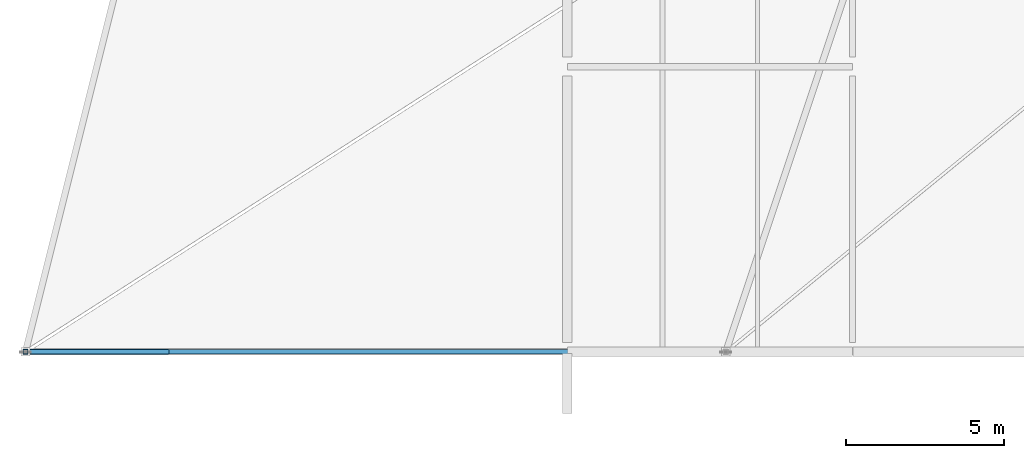
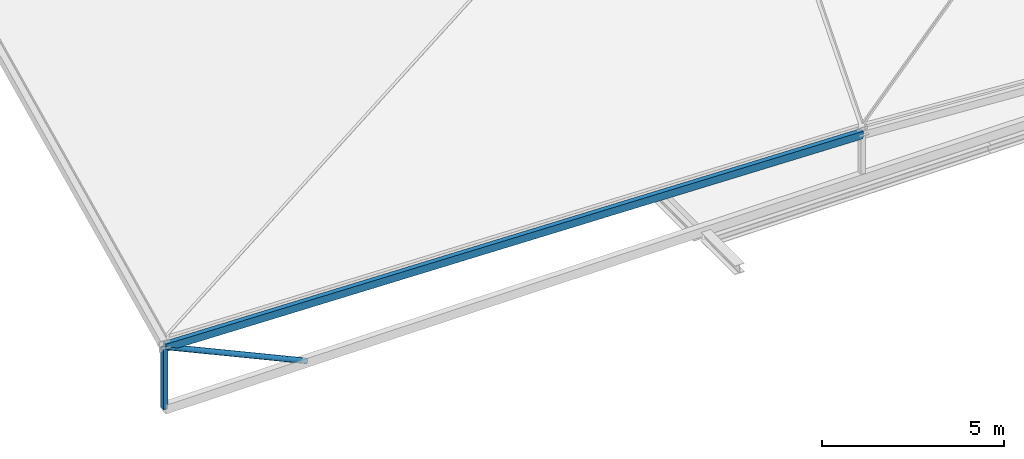
# One storey, part 1 of 18: 3 members.
"""IFC4 building model written with IfcOpenShell, lengths in metres."""

from ifc_helpers import new_model, si_unit, direction, frame, origin, origin_2d, place, context, subcontext, project, spatial, hollow_rectangle, hollow_circle, extrude, material, material_profile, profile_set, type_object, element, save


model = new_model("IFC4")

# Units and contexts
model_context = context("Model", 3, precision=1e-05, world=origin(), true_north=direction((0.0, 1.0)))
body_context = subcontext(model_context, "Body", "Model", "MODEL_VIEW")
ifc_project = project(units=[si_unit("LENGTHUNIT", "METRE"), si_unit("AREAUNIT", "SQUARE_METRE"), si_unit("VOLUMEUNIT", "CUBIC_METRE"), si_unit("PLANEANGLEUNIT", "RADIAN"), si_unit("MASSUNIT", "GRAM", prefix="KILO")], contexts=[model_context])

# Site, building, storey
site_placement = place(None, origin())
site = spatial("IfcSite", under=ifc_project, at=site_placement, CompositionType="ELEMENT")
building_placement = place(site_placement, origin())
building = spatial("IfcBuilding", under=site, at=building_placement, Name="Deido Ridge Mobility Hub", CompositionType="ELEMENT")
storey_placement = place(building_placement, frame((0.0, 0.0, 29.39990234375)))
storey = spatial("IfcBuildingStorey", under=building, at=storey_placement, Name="RF", CompositionType="ELEMENT", Elevation=29.39990234375)

# Members
ifc_material = material(Name="Steel S355J2H EN 10210-1", Category="steel")
ifc_material_profile_1 = material_profile(ifc_material, hollow_rectangle(XDim=0.14990234375, YDim=0.14990234375, WallThickness=0.008056640625, at=origin_2d()), Name="SHS 150x150x8")
ifc_profile_set_1 = profile_set([ifc_material_profile_1], Name="Steel S355J2H EN 10210-1")
member_type_1 = type_object("IfcMemberType", Name="MEM-PST-SHS150", PredefinedType="POST", material=ifc_profile_set_1)
member_1_placement = place(storey_placement, frame((135.89990234375, 0.0, 0.0), z_axis=(0.0, 0.0, 1.0), x_axis=(1.0, 0.0, 0.0)))
element("IfcMember", 1, at=member_1_placement, inside=storey, type_object=member_type_1, Name="Crystal roof ridge post PS1", PredefinedType="POST", context=body_context, shape_type="SweptSolid", body=[
    extrude(hollow_rectangle(XDim=0.14990234375, YDim=0.14990234375, WallThickness=0.008056640625, at=origin_2d()), origin(), (0.0, 0.0, 1.0), 2.050048828125),
])
ifc_material_profile_2 = material_profile(ifc_material, hollow_rectangle(XDim=0.14990234375, YDim=0.25, WallThickness=0.010009765625, at=origin_2d()), Name="RHS 250x150x10")
ifc_profile_set_2 = profile_set([ifc_material_profile_2], Name="Steel S355J2H EN 10210-1")
member_type_2 = type_object("IfcMemberType", Name="MEM-RAF-RHS250", PredefinedType="RAFTER", material=ifc_profile_set_2)
member_2_placement = place(storey_placement, frame((135.89990234375, 0.0, 2.050048828125), z_axis=(0.999631843772, 0.0, -0.027132580369), x_axis=(0.0, 1.0, 0.0)))
element("IfcMember", 2, at=member_2_placement, inside=storey, type_object=member_type_2, Name="Crystal roof folded rafter RF1", PredefinedType="RAFTER", context=body_context, shape_type="SweptSolid", body=[
    extrude(hollow_rectangle(XDim=0.14990234375, YDim=0.25, WallThickness=0.010009765625, at=origin_2d()), origin(), (0.0, 0.0, 1.0), 22.108154296875),
])
ifc_material_profile_3 = material_profile(ifc_material, hollow_circle(Radius=0.084228515625, WallThickness=0.008056640625, at=origin_2d()), Name="CHS 168.3x8")
ifc_profile_set_3 = profile_set([ifc_material_profile_3], Name="Steel S355J2H EN 10210-1")
member_type_3 = type_object("IfcMemberType", Name="MEM-STR-CHS168", PredefinedType="STRUT", material=ifc_profile_set_3)
member_3_placement = place(storey_placement, frame((140.39990234375, 0.0, 0.0), z_axis=(-0.910016154981, 0.0, 0.414572789354), x_axis=(0.0, -1.0, 0.0)))
element("IfcMember", 3, at=member_3_placement, inside=storey, type_object=member_type_3, Name="Crystal diagonal web strut SR1", PredefinedType="STRUT", context=body_context, shape_type="SweptSolid", body=[
    extrude(hollow_circle(Radius=0.084228515625, WallThickness=0.008056640625, at=origin_2d()), origin(), (0.0, 0.0, 1.0), 4.945068359375),
])

save(model, "model.ifc")
